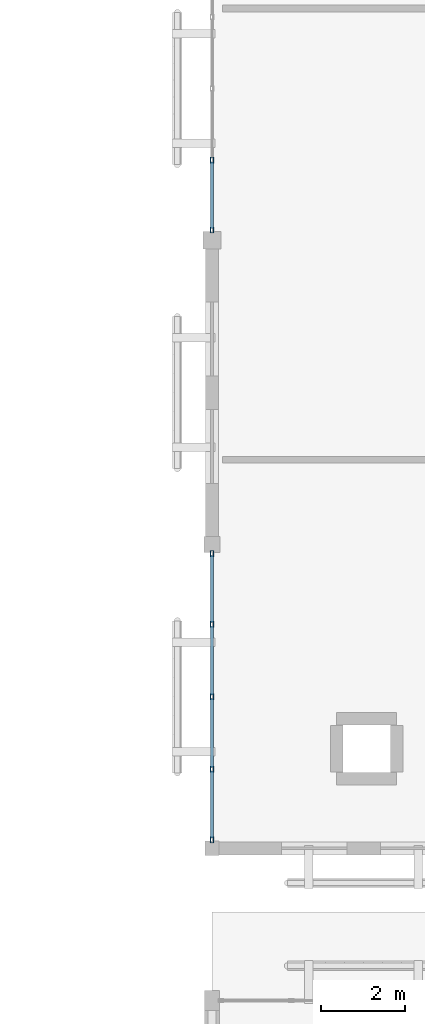
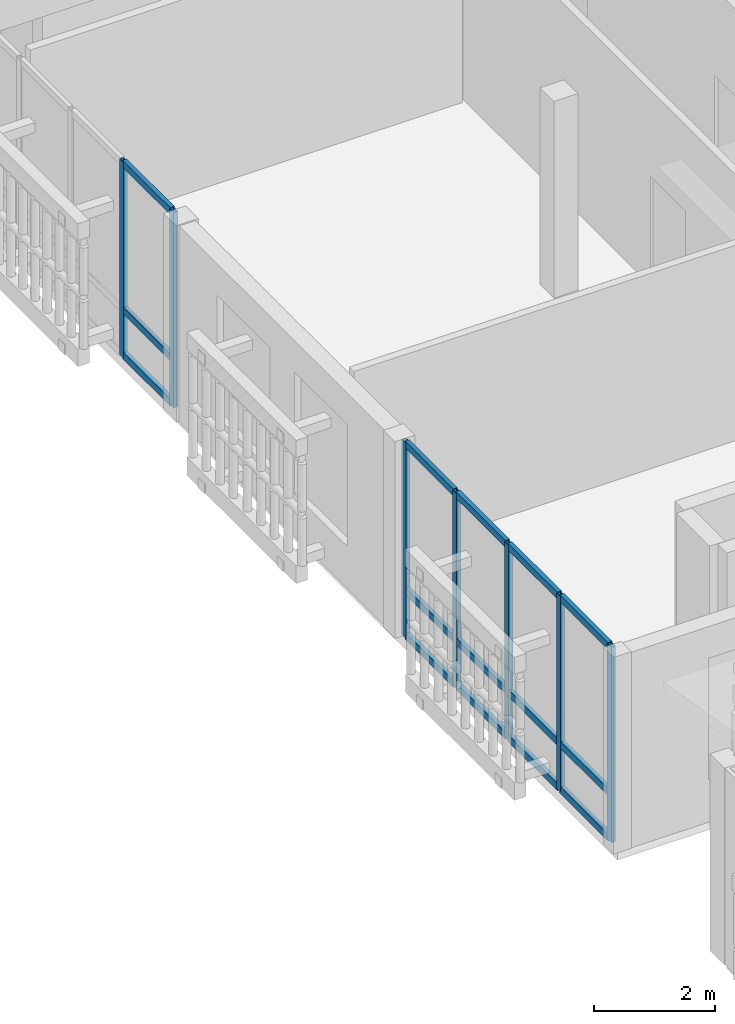
# One storey, part 45 of 112: 22 members, 2 elements without a shape of their own.
"""IFC4 building model written with IfcOpenShell, lengths in metres."""

from ifc_helpers import new_model, si_unit, direction, frame, origin, origin_2d, place, context, subcontext, project, spatial, hollow_rectangle, extrude, material, layer, layer_set, material_profile, profile_set, type_object, element, aggregate, save


model = new_model("IFC4")

# Units and contexts
model_context = context("Model", 3, precision=1e-05, world=origin(), true_north=direction((0.0, 1.0)))
body_context = subcontext(model_context, "Body", "Model", "MODEL_VIEW")
ifc_project = project(units=[si_unit("LENGTHUNIT", "METRE"), si_unit("AREAUNIT", "SQUARE_METRE"), si_unit("VOLUMEUNIT", "CUBIC_METRE"), si_unit("PLANEANGLEUNIT", "RADIAN"), si_unit("MASSUNIT", "GRAM", prefix="KILO")], contexts=[model_context])

# Site, building, storey
site_placement = place(None, origin())
site = spatial("IfcSite", under=ifc_project, at=site_placement, CompositionType="ELEMENT")
building_placement = place(site_placement, origin())
building = spatial("IfcBuilding", under=site, at=building_placement, Name="Mazaris Harbour Polytechnic", CompositionType="ELEMENT")
storey_placement = place(building_placement, frame((0.0, 0.0, 13.800048828125)))
storey = spatial("IfcBuildingStorey", under=building, at=storey_placement, Name="L03", CompositionType="ELEMENT", Elevation=13.800048828125)

# Curtain wall, members
ifc_material_1 = material(Name="Anodised Bronze Aluminium and Low-E Glass", Category="aluminium")
ifc_layer = layer(ifc_material_1, 0.169921875, Name="Anodised Bronze Aluminium and Low-E Glass")
ifc_layer_set = layer_set([ifc_layer], Name="Anodised Bronze Aluminium and Low-E Glass")
curtain_wall_type = type_object("IfcCurtainWallType", Name="Studio North-Light Curtain Wall", PredefinedType="NOTDEFINED", material=ifc_layer_set)
curtain_wall_1_placement = place(storey_placement, origin())
curtain_wall_1 = element("IfcCurtainWall", 1, at=curtain_wall_1_placement, inside=storey, type_object=curtain_wall_type, Name="V5 L03 Curtain Wall 253", PredefinedType="NOTDEFINED")
ifc_material_2 = material(Name="Anodised Bronze Steel S355", Category="steel")
ifc_material_profile_1 = material_profile(ifc_material_2, hollow_rectangle(XDim=0.080078125, YDim=0.139892578125, WallThickness=0.00634765625, at=origin_2d()), Name="RHS 80x140x6.3")
ifc_profile_set_1 = profile_set([ifc_material_profile_1], Name="Anodised Bronze Steel S355")
member_type_1 = type_object("IfcMemberType", Name="Curtain Mullion RHS80x140", PredefinedType="MULLION", material=ifc_profile_set_1)
member_1_placement = place(storey_placement, frame((122.39990234375, 47.001953125, 0.0), z_axis=(0.0, 0.0, 1.0), x_axis=(-1.0, 0.0, 0.0)))
member_1 = element("IfcMember", 2, at=member_1_placement, type_object=member_type_1, Name="CW-03 mullion 1", PredefinedType="MULLION", context=body_context, shape_type="SweptSolid", body=[
    extrude(hollow_rectangle(XDim=0.080078125, YDim=0.139892578125, WallThickness=0.00634765625, at=origin_2d()), origin(), (0.0, 0.0, 1.0), 3.93505859375),
])
member_2_placement = place(storey_placement, frame((122.39990234375, 48.676025390625, 0.0), z_axis=(0.0, 0.0, 1.0), x_axis=(-1.0, 0.0, 0.0)))
member_2 = element("IfcMember", 3, at=member_2_placement, type_object=member_type_1, Name="CW-03 mullion 2", PredefinedType="MULLION", context=body_context, shape_type="SweptSolid", body=[
    extrude(hollow_rectangle(XDim=0.080078125, YDim=0.139892578125, WallThickness=0.00634765625, at=origin_2d()), origin(), (0.0, 0.0, 1.0), 3.93505859375),
])
member_3_placement = place(storey_placement, frame((122.39990234375, 50.389892578125, 0.0), z_axis=(0.0, 0.0, 1.0), x_axis=(-1.0, 0.0, 0.0)))
member_3 = element("IfcMember", 4, at=member_3_placement, type_object=member_type_1, Name="CW-03 mullion 3", PredefinedType="MULLION", context=body_context, shape_type="SweptSolid", body=[
    extrude(hollow_rectangle(XDim=0.080078125, YDim=0.139892578125, WallThickness=0.00634765625, at=origin_2d()), origin(), (0.0, 0.0, 1.0), 3.93505859375),
])
member_4_placement = place(storey_placement, frame((122.39990234375, 52.10400390625, 0.0), z_axis=(0.0, 0.0, 1.0), x_axis=(-1.0, 0.0, 0.0)))
member_4 = element("IfcMember", 5, at=member_4_placement, type_object=member_type_1, Name="CW-03 mullion 4", PredefinedType="MULLION", context=body_context, shape_type="SweptSolid", body=[
    extrude(hollow_rectangle(XDim=0.080078125, YDim=0.139892578125, WallThickness=0.00634765625, at=origin_2d()), origin(), (0.0, 0.0, 1.0), 3.93505859375),
])
member_5_placement = place(storey_placement, frame((122.39990234375, 53.778076171875, 0.0), z_axis=(0.0, 0.0, 1.0), x_axis=(-1.0, 0.0, 0.0)))
member_5 = element("IfcMember", 6, at=member_5_placement, type_object=member_type_1, Name="CW-03 mullion 5", PredefinedType="MULLION", context=body_context, shape_type="SweptSolid", body=[
    extrude(hollow_rectangle(XDim=0.080078125, YDim=0.139892578125, WallThickness=0.00634765625, at=origin_2d()), origin(), (0.0, 0.0, 1.0), 3.93505859375),
])

curtain_wall_2_placement = place(storey_placement, origin())
curtain_wall_2 = element("IfcCurtainWall", 7, at=curtain_wall_2_placement, inside=storey, type_object=curtain_wall_type, Name="V5 L03 Curtain Wall 254", PredefinedType="NOTDEFINED")
member_6_placement = place(storey_placement, frame((122.39990234375, 61.44189453125, 0.0), z_axis=(0.0, 0.0, 1.0), x_axis=(-1.0, 0.0, 0.0)))
member_6 = element("IfcMember", 8, at=member_6_placement, type_object=member_type_1, Name="CW-03 mullion 1", PredefinedType="MULLION", context=body_context, shape_type="SweptSolid", body=[
    extrude(hollow_rectangle(XDim=0.080078125, YDim=0.139892578125, WallThickness=0.00634765625, at=origin_2d()), origin(), (0.0, 0.0, 1.0), 3.93505859375),
])
member_7_placement = place(storey_placement, frame((122.39990234375, 63.095947265625, 0.0), z_axis=(0.0, 0.0, 1.0), x_axis=(-1.0, 0.0, 0.0)))
member_7 = element("IfcMember", 9, at=member_7_placement, type_object=member_type_1, Name="CW-03 mullion 2", PredefinedType="MULLION", context=body_context, shape_type="SweptSolid", body=[
    extrude(hollow_rectangle(XDim=0.080078125, YDim=0.139892578125, WallThickness=0.00634765625, at=origin_2d()), origin(), (0.0, 0.0, 1.0), 3.93505859375),
])

# Member
ifc_material_3 = material(Name="Anodised Bronze Steel S355", Category="steel")
ifc_material_profile_2 = material_profile(ifc_material_3, hollow_rectangle(XDim=0.080078125, YDim=0.139892578125, WallThickness=0.00634765625, at=origin_2d()), Name="RHS 80x140x6.3")
ifc_profile_set_2 = profile_set([ifc_material_profile_2], Name="Anodised Bronze Steel S355")
member_type_2 = type_object("IfcMemberType", Name="Curtain Transom RHS80x140", PredefinedType="USERDEFINED", material=ifc_profile_set_2)
member_8_placement = place(storey_placement, frame((122.39990234375, 47.0419921875, 0.0400390625), z_axis=(0.0, 1.0, 0.0), x_axis=(-1.0, 0.0, 0.0)))
member_8 = element("IfcMember", 10, at=member_8_placement, type_object=member_type_2, Name="CW-03 transom 1.1", ObjectType="TRANSOM", PredefinedType="USERDEFINED", context=body_context, shape_type="SweptSolid", body=[
    extrude(hollow_rectangle(XDim=0.080078125, YDim=0.139892578125, WallThickness=0.00634765625, at=origin_2d()), origin(), (0.0, 0.0, 1.0), 1.593994140625),
])

member_9_placement = place(storey_placement, frame((122.39990234375, 47.0419921875, 0.949951171875), z_axis=(0.0, 1.0, 0.0), x_axis=(-1.0, 0.0, 0.0)))
member_9 = element("IfcMember", 11, at=member_9_placement, type_object=member_type_2, Name="CW-03 transom 1.2", ObjectType="TRANSOM", PredefinedType="USERDEFINED", context=body_context, shape_type="SweptSolid", body=[
    extrude(hollow_rectangle(XDim=0.080078125, YDim=0.139892578125, WallThickness=0.00634765625, at=origin_2d()), origin(), (0.0, 0.0, 1.0), 1.593994140625),
])

member_10_placement = place(storey_placement, frame((122.39990234375, 47.0419921875, 3.89501953125), z_axis=(0.0, 1.0, 0.0), x_axis=(-1.0, 0.0, 0.0)))
member_10 = element("IfcMember", 12, at=member_10_placement, type_object=member_type_2, Name="CW-03 transom 1.3", ObjectType="TRANSOM", PredefinedType="USERDEFINED", context=body_context, shape_type="SweptSolid", body=[
    extrude(hollow_rectangle(XDim=0.080078125, YDim=0.139892578125, WallThickness=0.00634765625, at=origin_2d()), origin(), (0.0, 0.0, 1.0), 1.593994140625),
])

member_11_placement = place(storey_placement, frame((122.39990234375, 48.716064453125, 0.0400390625), z_axis=(0.0, 1.0, 0.0), x_axis=(-1.0, 0.0, 0.0)))
member_11 = element("IfcMember", 13, at=member_11_placement, type_object=member_type_2, Name="CW-03 transom 2.1", ObjectType="TRANSOM", PredefinedType="USERDEFINED", context=body_context, shape_type="SweptSolid", body=[
    extrude(hollow_rectangle(XDim=0.080078125, YDim=0.139892578125, WallThickness=0.00634765625, at=origin_2d()), origin(), (0.0, 0.0, 1.0), 1.634033203125),
])

member_12_placement = place(storey_placement, frame((122.39990234375, 48.716064453125, 0.949951171875), z_axis=(0.0, 1.0, 0.0), x_axis=(-1.0, 0.0, 0.0)))
member_12 = element("IfcMember", 14, at=member_12_placement, type_object=member_type_2, Name="CW-03 transom 2.2", ObjectType="TRANSOM", PredefinedType="USERDEFINED", context=body_context, shape_type="SweptSolid", body=[
    extrude(hollow_rectangle(XDim=0.080078125, YDim=0.139892578125, WallThickness=0.00634765625, at=origin_2d()), origin(), (0.0, 0.0, 1.0), 1.634033203125),
])

member_13_placement = place(storey_placement, frame((122.39990234375, 48.716064453125, 3.89501953125), z_axis=(0.0, 1.0, 0.0), x_axis=(-1.0, 0.0, 0.0)))
member_13 = element("IfcMember", 15, at=member_13_placement, type_object=member_type_2, Name="CW-03 transom 2.3", ObjectType="TRANSOM", PredefinedType="USERDEFINED", context=body_context, shape_type="SweptSolid", body=[
    extrude(hollow_rectangle(XDim=0.080078125, YDim=0.139892578125, WallThickness=0.00634765625, at=origin_2d()), origin(), (0.0, 0.0, 1.0), 1.634033203125),
])

member_14_placement = place(storey_placement, frame((122.39990234375, 50.429931640625, 0.0400390625), z_axis=(0.0, 1.0, 0.0), x_axis=(-1.0, 0.0, 0.0)))
member_14 = element("IfcMember", 16, at=member_14_placement, type_object=member_type_2, Name="CW-03 transom 3.1", ObjectType="TRANSOM", PredefinedType="USERDEFINED", context=body_context, shape_type="SweptSolid", body=[
    extrude(hollow_rectangle(XDim=0.080078125, YDim=0.139892578125, WallThickness=0.00634765625, at=origin_2d()), origin(), (0.0, 0.0, 1.0), 1.634033203125),
])

member_15_placement = place(storey_placement, frame((122.39990234375, 50.429931640625, 0.949951171875), z_axis=(0.0, 1.0, 0.0), x_axis=(-1.0, 0.0, 0.0)))
member_15 = element("IfcMember", 17, at=member_15_placement, type_object=member_type_2, Name="CW-03 transom 3.2", ObjectType="TRANSOM", PredefinedType="USERDEFINED", context=body_context, shape_type="SweptSolid", body=[
    extrude(hollow_rectangle(XDim=0.080078125, YDim=0.139892578125, WallThickness=0.00634765625, at=origin_2d()), origin(), (0.0, 0.0, 1.0), 1.634033203125),
])

member_16_placement = place(storey_placement, frame((122.39990234375, 50.429931640625, 3.89501953125), z_axis=(0.0, 1.0, 0.0), x_axis=(-1.0, 0.0, 0.0)))
member_16 = element("IfcMember", 18, at=member_16_placement, type_object=member_type_2, Name="CW-03 transom 3.3", ObjectType="TRANSOM", PredefinedType="USERDEFINED", context=body_context, shape_type="SweptSolid", body=[
    extrude(hollow_rectangle(XDim=0.080078125, YDim=0.139892578125, WallThickness=0.00634765625, at=origin_2d()), origin(), (0.0, 0.0, 1.0), 1.634033203125),
])

member_17_placement = place(storey_placement, frame((122.39990234375, 52.14404296875, 0.0400390625), z_axis=(0.0, 1.0, 0.0), x_axis=(-1.0, 0.0, 0.0)))
member_17 = element("IfcMember", 19, at=member_17_placement, type_object=member_type_2, Name="CW-03 transom 4.1", ObjectType="TRANSOM", PredefinedType="USERDEFINED", context=body_context, shape_type="SweptSolid", body=[
    extrude(hollow_rectangle(XDim=0.080078125, YDim=0.139892578125, WallThickness=0.00634765625, at=origin_2d()), origin(), (0.0, 0.0, 1.0), 1.593994140625),
])

member_18_placement = place(storey_placement, frame((122.39990234375, 52.14404296875, 0.949951171875), z_axis=(0.0, 1.0, 0.0), x_axis=(-1.0, 0.0, 0.0)))
member_18 = element("IfcMember", 20, at=member_18_placement, type_object=member_type_2, Name="CW-03 transom 4.2", ObjectType="TRANSOM", PredefinedType="USERDEFINED", context=body_context, shape_type="SweptSolid", body=[
    extrude(hollow_rectangle(XDim=0.080078125, YDim=0.139892578125, WallThickness=0.00634765625, at=origin_2d()), origin(), (0.0, 0.0, 1.0), 1.593994140625),
])

member_19_placement = place(storey_placement, frame((122.39990234375, 52.14404296875, 3.89501953125), z_axis=(0.0, 1.0, 0.0), x_axis=(-1.0, 0.0, 0.0)))
member_19 = element("IfcMember", 21, at=member_19_placement, type_object=member_type_2, Name="CW-03 transom 4.3", ObjectType="TRANSOM", PredefinedType="USERDEFINED", context=body_context, shape_type="SweptSolid", body=[
    extrude(hollow_rectangle(XDim=0.080078125, YDim=0.139892578125, WallThickness=0.00634765625, at=origin_2d()), origin(), (0.0, 0.0, 1.0), 1.593994140625),
])

aggregate(curtain_wall_1, [member_1, member_2, member_3, member_4, member_5, member_8, member_9, member_10, member_11, member_12, member_13, member_14, member_15, member_16, member_17, member_18, member_19])

member_20_placement = place(storey_placement, frame((122.39990234375, 61.48193359375, 0.0400390625), z_axis=(0.0, 1.0, 0.0), x_axis=(-1.0, 0.0, 0.0)))
member_20 = element("IfcMember", 22, at=member_20_placement, type_object=member_type_2, Name="CW-03 transom 1.1", ObjectType="TRANSOM", PredefinedType="USERDEFINED", context=body_context, shape_type="SweptSolid", body=[
    extrude(hollow_rectangle(XDim=0.080078125, YDim=0.139892578125, WallThickness=0.00634765625, at=origin_2d()), origin(), (0.0, 0.0, 1.0), 1.573974609375),
])

member_21_placement = place(storey_placement, frame((122.39990234375, 61.48193359375, 0.949951171875), z_axis=(0.0, 1.0, 0.0), x_axis=(-1.0, 0.0, 0.0)))
member_21 = element("IfcMember", 23, at=member_21_placement, type_object=member_type_2, Name="CW-03 transom 1.2", ObjectType="TRANSOM", PredefinedType="USERDEFINED", context=body_context, shape_type="SweptSolid", body=[
    extrude(hollow_rectangle(XDim=0.080078125, YDim=0.139892578125, WallThickness=0.00634765625, at=origin_2d()), origin(), (0.0, 0.0, 1.0), 1.573974609375),
])

member_22_placement = place(storey_placement, frame((122.39990234375, 61.48193359375, 3.89501953125), z_axis=(0.0, 1.0, 0.0), x_axis=(-1.0, 0.0, 0.0)))
member_22 = element("IfcMember", 24, at=member_22_placement, type_object=member_type_2, Name="CW-03 transom 1.3", ObjectType="TRANSOM", PredefinedType="USERDEFINED", context=body_context, shape_type="SweptSolid", body=[
    extrude(hollow_rectangle(XDim=0.080078125, YDim=0.139892578125, WallThickness=0.00634765625, at=origin_2d()), origin(), (0.0, 0.0, 1.0), 1.573974609375),
])

aggregate(curtain_wall_2, [member_6, member_7, member_20, member_21, member_22])

save(model, "model.ifc")
